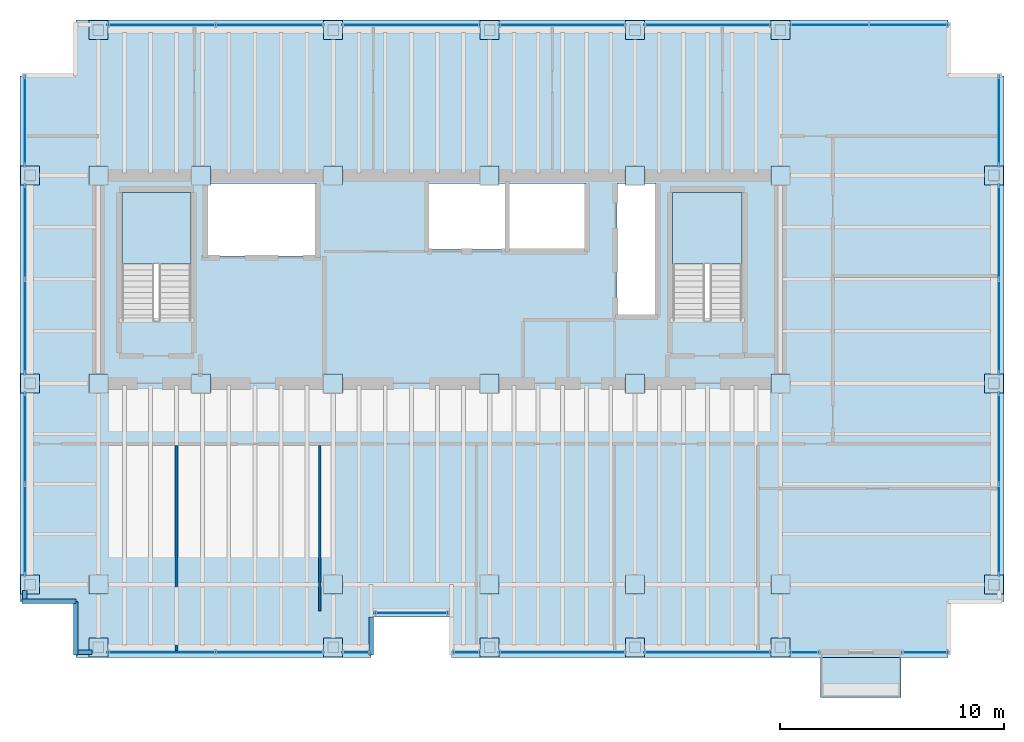
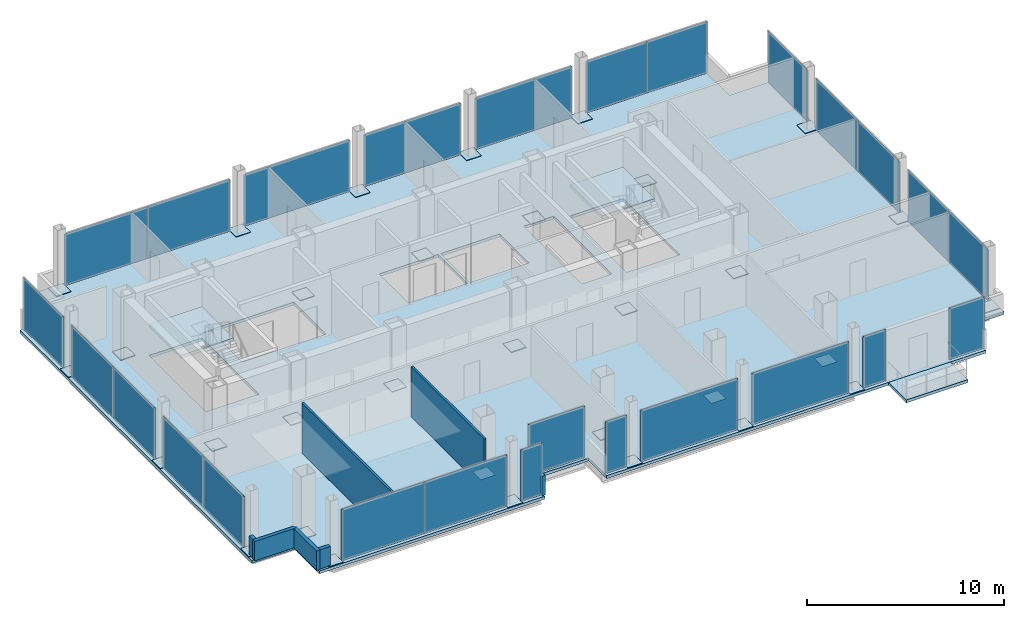
# One storey, part 12 of 16: 59 plates, 7 walls, 4 slabs, 6 openings, 21 elements without a shape of their own.
"""IFC4 building model written with IfcOpenShell, lengths in metres."""

from ifc_helpers import new_model, si_unit, direction, frame, frame_2d, origin, origin_2d, place, context, subcontext, project, spatial, polyline, rectangle, outline, extrude, material, layer, layer_set, type_object, element, aggregate, save


model = new_model("IFC4")

# Units and contexts
model_context = context("Model", 3, precision=1e-05, world=origin(), true_north=direction((0.0, 1.0)))
body_context = subcontext(model_context, "Body", "Model", "MODEL_VIEW")
ifc_project = project(units=[si_unit("LENGTHUNIT", "METRE"), si_unit("AREAUNIT", "SQUARE_METRE"), si_unit("VOLUMEUNIT", "CUBIC_METRE"), si_unit("PLANEANGLEUNIT", "RADIAN"), si_unit("MASSUNIT", "GRAM", prefix="KILO")], contexts=[model_context])

# Site, building, storey
site_placement = place(None, origin())
site = spatial("IfcSite", under=ifc_project, at=site_placement, CompositionType="ELEMENT")
building_placement = place(site_placement, origin())
building = spatial("IfcBuilding", under=site, at=building_placement, Name="Noeulbin Bourse Tower", CompositionType="ELEMENT")
storey_placement = place(building_placement, frame((0.0, 0.0, 177.300048828125)))
storey = spatial("IfcBuildingStorey", under=building, at=storey_placement, Name="L44", CompositionType="ELEMENT", Elevation=177.300048828125)

# Curtain wall, plate
ifc_material_1 = material(Name="Dark Tinted Triple Glazing", Category="glass")
curtain_wall_type = type_object("IfcCurtainWallType", Name="CW-SYS-3", PredefinedType="NOTDEFINED", material=ifc_material_1)
curtain_wall_1_placement = place(storey_placement, origin())
curtain_wall_1 = element("IfcCurtainWall", 1, at=curtain_wall_1_placement, inside=storey, type_object=curtain_wall_type, Name="Unitised Curtain Wall CW-L44-SREC", PredefinedType="NOTDEFINED")
ifc_layer_1 = layer(ifc_material_1, 0.035888671875)
ifc_layer_set_1 = layer_set([ifc_layer_1], Name="Dark Tinted Triple Glazing")
plate_type_1 = type_object("IfcPlateType", Name="CW-SYS-3-PNL", PredefinedType="CURTAIN_PANEL", material=ifc_layer_set_1)
plate_1_placement = place(storey_placement, frame((27.5, 18.72998046875, 0.0), z_axis=(0.0, 0.0, 1.0), x_axis=(1.0, 0.0, 0.0)))
plate_1 = element("IfcPlate", 2, at=plate_1_placement, type_object=plate_type_1, Name="Glazed Curtain Panel CW-L44-SREC-P00", PredefinedType="CURTAIN_PANEL", context=body_context, shape_type="SweptSolid", body=[
    extrude(rectangle(XDim=3.300048828125, YDim=0.035888671875, at=origin_2d()), origin(), (0.0, 0.0, 1.0), 3.179931640625),
])
aggregate(curtain_wall_1, [plate_1])

# Curtain wall, plates
curtain_wall_2_placement = place(storey_placement, origin())
curtain_wall_2 = element("IfcCurtainWall", 3, at=curtain_wall_2_placement, inside=storey, type_object=curtain_wall_type, Name="Unitised Curtain Wall CW-L44-S1-S1", PredefinedType="NOTDEFINED")
plate_2_placement = place(storey_placement, frame((16.330078125, 16.969970703125, 0.0), z_axis=(0.0, 0.0, 1.0), x_axis=(1.0, 0.0, 0.0)))
plate_2 = element("IfcPlate", 4, at=plate_2_placement, type_object=plate_type_1, Name="Glazed Curtain Panel CW-L44-S1-S1-P00", PredefinedType="CURTAIN_PANEL", context=body_context, shape_type="SweptSolid", body=[
    extrude(rectangle(XDim=4.840087890625, YDim=0.035888671875, at=origin_2d()), origin(), (0.0, 0.0, 1.0), 3.179931640625),
])
plate_3_placement = place(storey_placement, frame((21.169921875, 16.969970703125, 0.0), z_axis=(0.0, 0.0, 1.0), x_axis=(1.0, 0.0, 0.0)))
plate_3 = element("IfcPlate", 5, at=plate_3_placement, type_object=plate_type_1, Name="Glazed Curtain Panel CW-L44-S1-S1-P01", PredefinedType="CURTAIN_PANEL", context=body_context, shape_type="SweptSolid", body=[
    extrude(rectangle(XDim=4.840087890625, YDim=0.035888671875, at=origin_2d()), origin(), (0.0, 0.0, 1.0), 3.179931640625),
])
aggregate(curtain_wall_2, [plate_2, plate_3])

# Curtain wall, plate
curtain_wall_3_placement = place(storey_placement, origin())
curtain_wall_3 = element("IfcCurtainWall", 6, at=curtain_wall_3_placement, inside=storey, type_object=curtain_wall_type, Name="Unitised Curtain Wall CW-L44-S1-S2", PredefinedType="NOTDEFINED")
plate_4_placement = place(storey_placement, frame((25.030029296875, 16.969970703125, 0.0), z_axis=(0.0, 0.0, 1.0), x_axis=(1.0, 0.0, 0.0)))
plate_4 = element("IfcPlate", 7, at=plate_4_placement, type_object=plate_type_1, Name="Glazed Curtain Panel CW-L44-S1-S2-P00", PredefinedType="CURTAIN_PANEL", context=body_context, shape_type="SweptSolid", body=[
    extrude(rectangle(XDim=1.239990234375, YDim=0.035888671875, at=origin_2d()), origin(), (0.0, 0.0, 1.0), 3.179931640625),
])
aggregate(curtain_wall_3, [plate_4])

curtain_wall_4_placement = place(storey_placement, origin())
curtain_wall_4 = element("IfcCurtainWall", 8, at=curtain_wall_4_placement, inside=storey, type_object=curtain_wall_type, Name="Unitised Curtain Wall CW-L44-S2-S1", PredefinedType="NOTDEFINED")
plate_5_placement = place(storey_placement, frame((29.969970703125, 16.969970703125, 0.0), z_axis=(0.0, 0.0, 1.0), x_axis=(1.0, 0.0, 0.0)))
plate_5 = element("IfcPlate", 9, at=plate_5_placement, type_object=plate_type_1, Name="Glazed Curtain Panel CW-L44-S2-S1-P00", PredefinedType="CURTAIN_PANEL", context=body_context, shape_type="SweptSolid", body=[
    extrude(rectangle(XDim=1.239990234375, YDim=0.035888671875, at=origin_2d()), origin(), (0.0, 0.0, 1.0), 3.179931640625),
])
aggregate(curtain_wall_4, [plate_5])

curtain_wall_5_placement = place(storey_placement, origin())
curtain_wall_5 = element("IfcCurtainWall", 10, at=curtain_wall_5_placement, inside=storey, type_object=curtain_wall_type, Name="Unitised Curtain Wall CW-L44-S2-S2", PredefinedType="NOTDEFINED")
plate_6_placement = place(storey_placement, frame((34.25, 16.969970703125, 0.0), z_axis=(0.0, 0.0, 1.0), x_axis=(1.0, 0.0, 0.0)))
plate_6 = element("IfcPlate", 11, at=plate_6_placement, type_object=plate_type_1, Name="Glazed Curtain Panel CW-L44-S2-S2-P00", PredefinedType="CURTAIN_PANEL", context=body_context, shape_type="SweptSolid", body=[
    extrude(rectangle(XDim=5.679931640625, YDim=0.035888671875, at=origin_2d()), origin(), (0.0, 0.0, 1.0), 3.179931640625),
])
aggregate(curtain_wall_5, [plate_6])

curtain_wall_6_placement = place(storey_placement, origin())
curtain_wall_6 = element("IfcCurtainWall", 12, at=curtain_wall_6_placement, inside=storey, type_object=curtain_wall_type, Name="Unitised Curtain Wall CW-L44-S2-S3", PredefinedType="NOTDEFINED")
plate_7_placement = place(storey_placement, frame((40.75, 16.969970703125, 0.0), z_axis=(0.0, 0.0, 1.0), x_axis=(1.0, 0.0, 0.0)))
plate_7 = element("IfcPlate", 13, at=plate_7_placement, type_object=plate_type_1, Name="Glazed Curtain Panel CW-L44-S2-S3-P00", PredefinedType="CURTAIN_PANEL", context=body_context, shape_type="SweptSolid", body=[
    extrude(rectangle(XDim=5.679931640625, YDim=0.035888671875, at=origin_2d()), origin(), (0.0, 0.0, 1.0), 3.179931640625),
])
aggregate(curtain_wall_6, [plate_7])

curtain_wall_7_placement = place(storey_placement, origin())
curtain_wall_7 = element("IfcCurtainWall", 14, at=curtain_wall_7_placement, inside=storey, type_object=curtain_wall_type, Name="Unitised Curtain Wall CW-L44-S2-S4", PredefinedType="NOTDEFINED")
plate_8_placement = place(storey_placement, frame((45.080078125, 16.969970703125, 0.0), z_axis=(0.0, 0.0, 1.0), x_axis=(1.0, 0.0, 0.0)))
plate_8 = element("IfcPlate", 15, at=plate_8_placement, type_object=plate_type_1, Name="Glazed Curtain Panel CW-L44-S2-S4-P00", PredefinedType="CURTAIN_PANEL", context=body_context, shape_type="SweptSolid", body=[
    extrude(rectangle(XDim=1.340087890625, YDim=0.035888671875, at=origin_2d()), origin(), (0.0, 0.0, 1.0), 3.179931640625),
])
aggregate(curtain_wall_7, [plate_8])

curtain_wall_8_placement = place(storey_placement, origin())
curtain_wall_8 = element("IfcCurtainWall", 16, at=curtain_wall_8_placement, inside=storey, type_object=curtain_wall_type, Name="Unitised Curtain Wall CW-L44-S3", PredefinedType="NOTDEFINED")
plate_9_placement = place(storey_placement, frame((50.485107421875, 16.969970703125, 0.0), z_axis=(0.0, 0.0, 1.0), x_axis=(1.0, 0.0, 0.0)))
plate_9 = element("IfcPlate", 17, at=plate_9_placement, type_object=plate_type_1, Name="Glazed Curtain Panel CW-L44-S3-P00", PredefinedType="CURTAIN_PANEL", context=body_context, shape_type="SweptSolid", body=[
    extrude(rectangle(XDim=2.070068359375, YDim=0.035888671875, at=origin_2d()), origin(), (0.0, 0.0, 1.0), 3.179931640625),
])
aggregate(curtain_wall_8, [plate_9])

# Curtain wall, plates
curtain_wall_9_placement = place(storey_placement, origin())
curtain_wall_9 = element("IfcCurtainWall", 18, at=curtain_wall_9_placement, inside=storey, type_object=curtain_wall_type, Name="Unitised Curtain Wall CW-L44-N-S1", PredefinedType="NOTDEFINED")
plate_10_placement = place(storey_placement, frame((16.330078125, 45.030029296875, 0.0), z_axis=(0.0, 0.0, 1.0), x_axis=(1.0, 0.0, 0.0)))
plate_10 = element("IfcPlate", 19, at=plate_10_placement, type_object=plate_type_1, Name="Glazed Curtain Panel CW-L44-N-S1-P00", PredefinedType="CURTAIN_PANEL", context=body_context, shape_type="SweptSolid", body=[
    extrude(rectangle(XDim=4.840087890625, YDim=0.035888671875, at=origin_2d()), origin(), (0.0, 0.0, 1.0), 3.179931640625),
])
plate_11_placement = place(storey_placement, frame((21.169921875, 45.030029296875, 0.0), z_axis=(0.0, 0.0, 1.0), x_axis=(1.0, 0.0, 0.0)))
plate_11 = element("IfcPlate", 20, at=plate_11_placement, type_object=plate_type_1, Name="Glazed Curtain Panel CW-L44-N-S1-P01", PredefinedType="CURTAIN_PANEL", context=body_context, shape_type="SweptSolid", body=[
    extrude(rectangle(XDim=4.840087890625, YDim=0.035888671875, at=origin_2d()), origin(), (0.0, 0.0, 1.0), 3.179931640625),
])
aggregate(curtain_wall_9, [plate_10, plate_11])

# Curtain wall, plate
curtain_wall_10_placement = place(storey_placement, origin())
curtain_wall_10 = element("IfcCurtainWall", 21, at=curtain_wall_10_placement, inside=storey, type_object=curtain_wall_type, Name="Unitised Curtain Wall CW-L44-N-S2", PredefinedType="NOTDEFINED")
plate_12_placement = place(storey_placement, frame((27.5, 45.030029296875, 0.0), z_axis=(0.0, 0.0, 1.0), x_axis=(1.0, 0.0, 0.0)))
plate_12 = element("IfcPlate", 22, at=plate_12_placement, type_object=plate_type_1, Name="Glazed Curtain Panel CW-L44-N-S2-P00", PredefinedType="CURTAIN_PANEL", context=body_context, shape_type="SweptSolid", body=[
    extrude(rectangle(XDim=6.179931640625, YDim=0.035888671875, at=origin_2d()), origin(), (0.0, 0.0, 1.0), 3.179931640625),
])
aggregate(curtain_wall_10, [plate_12])

curtain_wall_11_placement = place(storey_placement, origin())
curtain_wall_11 = element("IfcCurtainWall", 23, at=curtain_wall_11_placement, inside=storey, type_object=curtain_wall_type, Name="Unitised Curtain Wall CW-L44-N-S3", PredefinedType="NOTDEFINED")
plate_13_placement = place(storey_placement, frame((34.25, 45.030029296875, 0.0), z_axis=(0.0, 0.0, 1.0), x_axis=(1.0, 0.0, 0.0)))
plate_13 = element("IfcPlate", 24, at=plate_13_placement, type_object=plate_type_1, Name="Glazed Curtain Panel CW-L44-N-S3-P00", PredefinedType="CURTAIN_PANEL", context=body_context, shape_type="SweptSolid", body=[
    extrude(rectangle(XDim=5.679931640625, YDim=0.035888671875, at=origin_2d()), origin(), (0.0, 0.0, 1.0), 3.179931640625),
])
aggregate(curtain_wall_11, [plate_13])

curtain_wall_12_placement = place(storey_placement, origin())
curtain_wall_12 = element("IfcCurtainWall", 25, at=curtain_wall_12_placement, inside=storey, type_object=curtain_wall_type, Name="Unitised Curtain Wall CW-L44-N-S4", PredefinedType="NOTDEFINED")
plate_14_placement = place(storey_placement, frame((40.75, 45.030029296875, 0.0), z_axis=(0.0, 0.0, 1.0), x_axis=(1.0, 0.0, 0.0)))
plate_14 = element("IfcPlate", 26, at=plate_14_placement, type_object=plate_type_1, Name="Glazed Curtain Panel CW-L44-N-S4-P00", PredefinedType="CURTAIN_PANEL", context=body_context, shape_type="SweptSolid", body=[
    extrude(rectangle(XDim=5.679931640625, YDim=0.035888671875, at=origin_2d()), origin(), (0.0, 0.0, 1.0), 3.179931640625),
])
aggregate(curtain_wall_12, [plate_14])

# Curtain wall, plates
curtain_wall_13_placement = place(storey_placement, origin())
curtain_wall_13 = element("IfcCurtainWall", 27, at=curtain_wall_13_placement, inside=storey, type_object=curtain_wall_type, Name="Unitised Curtain Wall CW-L44-N-S5", PredefinedType="NOTDEFINED")
plate_15_placement = place(storey_placement, frame((46.1875, 45.030029296875, 0.0), z_axis=(0.0, 0.0, 1.0), x_axis=(1.0, 0.0, 0.0)))
plate_15 = element("IfcPlate", 28, at=plate_15_placement, type_object=plate_type_1, Name="Glazed Curtain Panel CW-L44-N-S5-P00", PredefinedType="CURTAIN_PANEL", context=body_context, shape_type="SweptSolid", body=[
    extrude(rectangle(XDim=3.554931640625, YDim=0.035888671875, at=origin_2d()), origin(), (0.0, 0.0, 1.0), 3.179931640625),
])
plate_16_placement = place(storey_placement, frame((49.742431640625, 45.030029296875, 0.0), z_axis=(0.0, 0.0, 1.0), x_axis=(1.0, 0.0, 0.0)))
plate_16 = element("IfcPlate", 29, at=plate_16_placement, type_object=plate_type_1, Name="Glazed Curtain Panel CW-L44-N-S5-P01", PredefinedType="CURTAIN_PANEL", context=body_context, shape_type="SweptSolid", body=[
    extrude(rectangle(XDim=3.554931640625, YDim=0.035888671875, at=origin_2d()), origin(), (0.0, 0.0, 1.0), 3.179931640625),
])
aggregate(curtain_wall_13, [plate_15, plate_16])

curtain_wall_14_placement = place(storey_placement, origin())
curtain_wall_14 = element("IfcCurtainWall", 30, at=curtain_wall_14_placement, inside=storey, type_object=curtain_wall_type, Name="Unitised Curtain Wall CW-L44-W-S1", PredefinedType="NOTDEFINED")
plate_17_placement = place(storey_placement, frame((10.219970703125, 22.455078125, 0.0), z_axis=(0.0, 0.0, 1.0), x_axis=(0.0, 1.0, 0.0)))
plate_17 = element("IfcPlate", 31, at=plate_17_placement, type_object=plate_type_1, Name="Glazed Curtain Panel CW-L44-W-S1-P00", PredefinedType="CURTAIN_PANEL", context=body_context, shape_type="SweptSolid", body=[
    extrude(rectangle(XDim=4.090087890625, YDim=0.035888671875, at=origin_2d()), origin(), (0.0, 0.0, 1.0), 3.179931640625),
])
plate_18_placement = place(storey_placement, frame((10.219970703125, 26.544921875, 0.0), z_axis=(0.0, 0.0, 1.0), x_axis=(0.0, 1.0, 0.0)))
plate_18 = element("IfcPlate", 32, at=plate_18_placement, type_object=plate_type_1, Name="Glazed Curtain Panel CW-L44-W-S1-P01", PredefinedType="CURTAIN_PANEL", context=body_context, shape_type="SweptSolid", body=[
    extrude(rectangle(XDim=4.090087890625, YDim=0.035888671875, at=origin_2d()), origin(), (0.0, 0.0, 1.0), 3.179931640625),
])
aggregate(curtain_wall_14, [plate_17, plate_18])

curtain_wall_15_placement = place(storey_placement, origin())
curtain_wall_15 = element("IfcCurtainWall", 33, at=curtain_wall_15_placement, inside=storey, type_object=curtain_wall_type, Name="Unitised Curtain Wall CW-L44-W-S2", PredefinedType="NOTDEFINED")
plate_19_placement = place(storey_placement, frame((10.219970703125, 31.530029296875, 0.0), z_axis=(0.0, 0.0, 1.0), x_axis=(0.0, 1.0, 0.0)))
plate_19 = element("IfcPlate", 34, at=plate_19_placement, type_object=plate_type_1, Name="Glazed Curtain Panel CW-L44-W-S2-P00", PredefinedType="CURTAIN_PANEL", context=body_context, shape_type="SweptSolid", body=[
    extrude(rectangle(XDim=4.239990234375, YDim=0.035888671875, at=origin_2d()), origin(), (0.0, 0.0, 1.0), 3.179931640625),
])
plate_20_placement = place(storey_placement, frame((10.219970703125, 35.77001953125, 0.0), z_axis=(0.0, 0.0, 1.0), x_axis=(0.0, 1.0, 0.0)))
plate_20 = element("IfcPlate", 35, at=plate_20_placement, type_object=plate_type_1, Name="Glazed Curtain Panel CW-L44-W-S2-P01", PredefinedType="CURTAIN_PANEL", context=body_context, shape_type="SweptSolid", body=[
    extrude(rectangle(XDim=4.239990234375, YDim=0.035888671875, at=origin_2d()), origin(), (0.0, 0.0, 1.0), 3.179931640625),
])
aggregate(curtain_wall_15, [plate_19, plate_20])

# Curtain wall, plate
curtain_wall_16_placement = place(storey_placement, origin())
curtain_wall_16 = element("IfcCurtainWall", 36, at=curtain_wall_16_placement, inside=storey, type_object=curtain_wall_type, Name="Unitised Curtain Wall CW-L44-W-S3", PredefinedType="NOTDEFINED")
plate_21_placement = place(storey_placement, frame((10.219970703125, 40.739990234375, 0.0), z_axis=(0.0, 0.0, 1.0), x_axis=(0.0, 1.0, 0.0)))
plate_21 = element("IfcPlate", 37, at=plate_21_placement, type_object=plate_type_1, Name="Glazed Curtain Panel CW-L44-W-S3-P00", PredefinedType="CURTAIN_PANEL", context=body_context, shape_type="SweptSolid", body=[
    extrude(rectangle(XDim=4.06005859375, YDim=0.035888671875, at=origin_2d()), origin(), (0.0, 0.0, 1.0), 3.179931640625),
])
aggregate(curtain_wall_16, [plate_21])

# Curtain wall, plates
curtain_wall_17_placement = place(storey_placement, origin())
curtain_wall_17 = element("IfcCurtainWall", 38, at=curtain_wall_17_placement, inside=storey, type_object=curtain_wall_type, Name="Unitised Curtain Wall CW-L44-E-S1", PredefinedType="NOTDEFINED")
plate_22_placement = place(storey_placement, frame((53.780029296875, 22.455078125, 0.0), z_axis=(0.0, 0.0, 1.0), x_axis=(0.0, 1.0, 0.0)))
plate_22 = element("IfcPlate", 39, at=plate_22_placement, type_object=plate_type_1, Name="Glazed Curtain Panel CW-L44-E-S1-P00", PredefinedType="CURTAIN_PANEL", context=body_context, shape_type="SweptSolid", body=[
    extrude(rectangle(XDim=4.090087890625, YDim=0.035888671875, at=origin_2d()), origin(), (0.0, 0.0, 1.0), 3.179931640625),
])
plate_23_placement = place(storey_placement, frame((53.780029296875, 26.544921875, 0.0), z_axis=(0.0, 0.0, 1.0), x_axis=(0.0, 1.0, 0.0)))
plate_23 = element("IfcPlate", 40, at=plate_23_placement, type_object=plate_type_1, Name="Glazed Curtain Panel CW-L44-E-S1-P01", PredefinedType="CURTAIN_PANEL", context=body_context, shape_type="SweptSolid", body=[
    extrude(rectangle(XDim=4.090087890625, YDim=0.035888671875, at=origin_2d()), origin(), (0.0, 0.0, 1.0), 3.179931640625),
])
aggregate(curtain_wall_17, [plate_22, plate_23])

curtain_wall_18_placement = place(storey_placement, origin())
curtain_wall_18 = element("IfcCurtainWall", 41, at=curtain_wall_18_placement, inside=storey, type_object=curtain_wall_type, Name="Unitised Curtain Wall CW-L44-E-S2", PredefinedType="NOTDEFINED")
plate_24_placement = place(storey_placement, frame((53.780029296875, 31.530029296875, 0.0), z_axis=(0.0, 0.0, 1.0), x_axis=(0.0, 1.0, 0.0)))
plate_24 = element("IfcPlate", 42, at=plate_24_placement, type_object=plate_type_1, Name="Glazed Curtain Panel CW-L44-E-S2-P00", PredefinedType="CURTAIN_PANEL", context=body_context, shape_type="SweptSolid", body=[
    extrude(rectangle(XDim=4.239990234375, YDim=0.035888671875, at=origin_2d()), origin(), (0.0, 0.0, 1.0), 3.179931640625),
])
plate_25_placement = place(storey_placement, frame((53.780029296875, 35.77001953125, 0.0), z_axis=(0.0, 0.0, 1.0), x_axis=(0.0, 1.0, 0.0)))
plate_25 = element("IfcPlate", 43, at=plate_25_placement, type_object=plate_type_1, Name="Glazed Curtain Panel CW-L44-E-S2-P01", PredefinedType="CURTAIN_PANEL", context=body_context, shape_type="SweptSolid", body=[
    extrude(rectangle(XDim=4.239990234375, YDim=0.035888671875, at=origin_2d()), origin(), (0.0, 0.0, 1.0), 3.179931640625),
])
aggregate(curtain_wall_18, [plate_24, plate_25])

# Curtain wall, plate
curtain_wall_19_placement = place(storey_placement, origin())
curtain_wall_19 = element("IfcCurtainWall", 44, at=curtain_wall_19_placement, inside=storey, type_object=curtain_wall_type, Name="Unitised Curtain Wall CW-L44-E-S3", PredefinedType="NOTDEFINED")
plate_26_placement = place(storey_placement, frame((53.780029296875, 40.739990234375, 0.0), z_axis=(0.0, 0.0, 1.0), x_axis=(0.0, 1.0, 0.0)))
plate_26 = element("IfcPlate", 45, at=plate_26_placement, type_object=plate_type_1, Name="Glazed Curtain Panel CW-L44-E-S3-P00", PredefinedType="CURTAIN_PANEL", context=body_context, shape_type="SweptSolid", body=[
    extrude(rectangle(XDim=4.06005859375, YDim=0.035888671875, at=origin_2d()), origin(), (0.0, 0.0, 1.0), 3.179931640625),
])
aggregate(curtain_wall_19, [plate_26])

# Plates
ifc_material_2 = material(Name="Steel S355", Category="steel")
ifc_layer_2 = layer(ifc_material_2, 0.030029296875)
ifc_layer_set_2 = layer_set([ifc_layer_2], Name="Steel S355")
plate_type_2 = type_object("IfcPlateType", Name="PLT-BN1", PredefinedType="USERDEFINED", material=ifc_layer_set_2)
for number, where, z_axis, x_axis, name in (
    (46, (13.5, 29.0, 0.0048828125), (0.0, 0.0, 1.0), (1.0, 0.0, 0.0), "Mega-Column Splice Plate BN1-L44-01"),
    (47, (13.5, 38.300048828125, 0.0048828125), (0.0, 0.0, 1.0), (1.0, 0.0, 0.0), "Mega-Column Splice Plate BN1-L44-02"),
    (48, (18.10009765625, 29.0, 0.0048828125), (0.0, 0.0, 1.0), (1.0, 0.0, 0.0), "Mega-Column Splice Plate BN1-L44-03"),
    (49, (18.10009765625, 38.300048828125, 0.0048828125), (0.0, 0.0, 1.0), (1.0, 0.0, 0.0), "Mega-Column Splice Plate BN1-L44-04"),
    (50, (24.0, 29.0, 0.0048828125), (0.0, 0.0, 1.0), (1.0, 0.0, 0.0), "Mega-Column Splice Plate BN1-L44-05"),
    (51, (24.0, 38.300048828125, 0.0048828125), (0.0, 0.0, 1.0), (1.0, 0.0, 0.0), "Mega-Column Splice Plate BN1-L44-06"),
    (52, (31.0, 29.0, 0.0048828125), (0.0, 0.0, 1.0), (1.0, 0.0, 0.0), "Mega-Column Splice Plate BN1-L44-07"),
    (53, (31.0, 38.300048828125, 0.0048828125), (0.0, 0.0, 1.0), (1.0, 0.0, 0.0), "Mega-Column Splice Plate BN1-L44-08"),
    (54, (37.5, 29.0, 0.0048828125), (0.0, 0.0, 1.0), (1.0, 0.0, 0.0), "Mega-Column Splice Plate BN1-L44-09"),
    (55, (37.5, 38.300048828125, 0.0048828125), (0.0, 0.0, 1.0), (1.0, 0.0, 0.0), "Mega-Column Splice Plate BN1-L44-10"),
    (56, (44.0, 29.0, 0.0048828125), (0.0, 0.0, 1.0), (1.0, 0.0, 0.0), "Mega-Column Splice Plate BN1-L44-11"),
    (57, (44.0, 38.300048828125, 0.0048828125), (0.0, 0.0, 1.0), (1.0, 0.0, 0.0), "Mega-Column Splice Plate BN1-L44-12"),
    (58, (13.5, 20.0, 0.0048828125), (0.0, 0.0, 1.0), (1.0, 0.0, 0.0), "Mega-Column Splice Plate BN1-L44-13"),
    (59, (24.0, 20.0, 0.0048828125), (0.0, 0.0, 1.0), (1.0, 0.0, 0.0), "Mega-Column Splice Plate BN1-L44-14"),
    (60, (31.0, 20.0, 0.0048828125), (0.0, 0.0, 1.0), (1.0, 0.0, 0.0), "Mega-Column Splice Plate BN1-L44-15"),
    (61, (37.5, 20.0, 0.0048828125), (0.0, 0.0, 1.0), (1.0, 0.0, 0.0), "Mega-Column Splice Plate BN1-L44-16"),
    (62, (44.0, 20.0, 0.0048828125), (0.0, 0.0, 1.0), (1.0, 0.0, 0.0), "Mega-Column Splice Plate BN1-L44-17"),
    (63, (10.449951171875, 20.0, 0.0048828125), (0.0, 0.0, 1.0), (1.0, 0.0, 0.0), "Perimeter Column Splice Plate BN1-L44-01"),
    (64, (10.449951171875, 29.0, 0.0048828125), (0.0, 0.0, 1.0), (1.0, 0.0, 0.0), "Perimeter Column Splice Plate BN1-L44-02"),
    (65, (10.449951171875, 38.300048828125, 0.0048828125), (0.0, 0.0, 1.0), (1.0, 0.0, 0.0), "Perimeter Column Splice Plate BN1-L44-03"),
    (66, (13.5, 17.199951171875, 0.0048828125), (0.0, 0.0, 1.0), (1.0, 0.0, 0.0), "Perimeter Column Splice Plate BN1-L44-04"),
    (67, (13.5, 44.800048828125, 0.0048828125), (0.0, 0.0, 1.0), (1.0, 0.0, 0.0), "Perimeter Column Splice Plate BN1-L44-05"),
    (68, (24.0, 17.199951171875, 0.0048828125), (0.0, 0.0, 1.0), (1.0, 0.0, 0.0), "Perimeter Column Splice Plate BN1-L44-06"),
    (69, (24.0, 44.800048828125, 0.0048828125), (0.0, 0.0, 1.0), (1.0, 0.0, 0.0), "Perimeter Column Splice Plate BN1-L44-07"),
    (70, (31.0, 17.199951171875, 0.0048828125), (0.0, 0.0, 1.0), (1.0, 0.0, 0.0), "Perimeter Column Splice Plate BN1-L44-08"),
    (71, (31.0, 44.800048828125, 0.0048828125), (0.0, 0.0, 1.0), (1.0, 0.0, 0.0), "Perimeter Column Splice Plate BN1-L44-09"),
    (72, (37.5, 17.199951171875, 0.0048828125), (0.0, 0.0, 1.0), (1.0, 0.0, 0.0), "Perimeter Column Splice Plate BN1-L44-10"),
    (73, (37.5, 44.800048828125, 0.0048828125), (0.0, 0.0, 1.0), (1.0, 0.0, 0.0), "Perimeter Column Splice Plate BN1-L44-11"),
    (74, (44.0, 17.199951171875, 0.0048828125), (0.0, 0.0, 1.0), (1.0, 0.0, 0.0), "Perimeter Column Splice Plate BN1-L44-12"),
    (75, (44.0, 44.800048828125, 0.0048828125), (0.0, 0.0, 1.0), (1.0, 0.0, 0.0), "Perimeter Column Splice Plate BN1-L44-13"),
    (76, (53.550048828125, 20.0, 0.0048828125), (0.0, 0.0, 1.0), (1.0, 0.0, 0.0), "Perimeter Column Splice Plate BN1-L44-14"),
    (77, (53.550048828125, 29.0, 0.0048828125), (0.0, 0.0, 1.0), (1.0, 0.0, 0.0), "Perimeter Column Splice Plate BN1-L44-15"),
    (78, (53.550048828125, 38.300048828125, 0.0048828125), (0.0, 0.0, 1.0), (1.0, 0.0, 0.0), "Perimeter Column Splice Plate BN1-L44-16"),
):
    element("IfcPlate", number, at=place(storey_placement, frame(where, z_axis=z_axis, x_axis=x_axis)), inside=storey, type_object=plate_type_2, Name=name, ObjectType="SPLICE PLATE", PredefinedType="USERDEFINED", context=body_context, shape_type="SweptSolid", body=[
        extrude(rectangle(XDim=0.85009765625, YDim=0.85009765625, at=origin_2d()), origin(), (0.0, 0.0, 1.0), 0.030029296875),
    ])

# Stair, slab
ifc_material_3 = material(Name="Concrete C40/50", Category="concrete")
stair_type = type_object("IfcStairType", Name="STR-CORE-1560", PredefinedType="HALF_TURN_STAIR", material=ifc_material_3)
stair_1_placement = place(storey_placement, origin())
stair_1 = element("IfcStair", 79, at=stair_1_placement, inside=storey, type_object=stair_type, Name="L44 ST-1", PredefinedType="HALF_TURN_STAIR")
ifc_layer_3 = layer(ifc_material_3, 0.199951171875)
ifc_layer_set_3 = layer_set([ifc_layer_3], Name="Concrete C40/50")
slab_type_1 = type_object("IfcSlabType", Name="SLB-LND-200", PredefinedType="LANDING", material=ifc_layer_set_3)
slab_1_placement = place(storey_placement, frame((0.0, 0.0, 1.75)))
slab_1 = element("IfcSlab", 80, at=slab_1_placement, type_object=slab_type_1, Name="ST-1 landing 1", PredefinedType="LANDING", context=body_context, shape_type="SweptSolid", body=[
    extrude(outline(polyline([(17.64990234375, 34.330078125), (17.64990234375, 37.5439453125), (14.550048828125, 37.5439453125), (14.550048828125, 34.330078125), (17.64990234375, 34.330078125)])), origin(), (0.0, 0.0, 1.0), 0.199951171875),
])
aggregate(stair_1, [slab_1])

stair_2_placement = place(storey_placement, origin())
stair_2 = element("IfcStair", 81, at=stair_2_placement, inside=storey, type_object=stair_type, Name="L44 ST-2", PredefinedType="HALF_TURN_STAIR")
slab_2_placement = place(storey_placement, frame((0.0, 0.0, 1.75)))
slab_2 = element("IfcSlab", 82, at=slab_2_placement, type_object=slab_type_1, Name="ST-2 landing 1", PredefinedType="LANDING", context=body_context, shape_type="SweptSolid", body=[
    extrude(outline(polyline([(42.280029296875, 34.330078125), (42.280029296875, 37.5439453125), (39.179931640625, 37.5439453125), (39.179931640625, 34.330078125), (42.280029296875, 34.330078125)])), origin(), (0.0, 0.0, 1.0), 0.199951171875),
])
aggregate(stair_2, [slab_2])

# Slab, openings
ifc_layer_4 = layer(ifc_material_3, 0.179931640625)
ifc_layer_set_4 = layer_set([ifc_layer_4], Name="Concrete C40/50")
slab_type_2 = type_object("IfcSlabType", Name="SLB-TYP-180", PredefinedType="FLOOR", material=ifc_layer_set_4)
slab_3_placement = place(storey_placement, frame((0.0, 0.0, -0.179931640625)))
slab_3 = element("IfcSlab", 83, at=slab_3_placement, inside=storey, type_object=slab_type_2, Name="Tower Structural Floor Slab L44", PredefinedType="FLOOR", context=body_context, shape_type="SweptSolid", body=[
    extrude(outline(polyline([(12.5, 16.75), (25.699951171875, 16.75), (25.699951171875, 18.550048828125), (29.300048828125, 18.550048828125), (29.300048828125, 16.75), (51.5, 16.75), (51.5, 19.25), (54.0, 19.25), (54.0, 42.75), (51.5, 42.75), (51.5, 45.25), (12.5, 45.25), (12.5, 42.75), (10.0, 42.75), (10.0, 19.25), (12.5, 19.25), (12.5, 16.75)]), holes=[polyline([(17.64990234375, 31.81005859375), (17.64990234375, 37.5439453125), (14.550048828125, 37.5439453125), (14.550048828125, 31.81005859375), (17.64990234375, 31.81005859375)]), polyline([(42.280029296875, 31.81005859375), (42.280029296875, 37.5439453125), (39.179931640625, 37.5439453125), (39.179931640625, 31.81005859375), (42.280029296875, 31.81005859375)]), polyline([(18.35009765625, 34.699951171875), (23.25, 34.699951171875), (23.25, 37.949951171875), (18.35009765625, 37.949951171875), (18.35009765625, 34.699951171875)]), polyline([(36.699951171875, 32.050048828125), (38.449951171875, 32.050048828125), (38.449951171875, 37.949951171875), (36.699951171875, 37.949951171875), (36.699951171875, 32.050048828125)]), polyline([(28.25, 35.0), (31.699951171875, 35.0), (31.699951171875, 37.949951171875), (28.25, 37.949951171875), (28.25, 35.0)]), polyline([(31.85009765625, 35.0), (35.300048828125, 35.0), (35.300048828125, 37.949951171875), (31.85009765625, 37.949951171875), (31.85009765625, 35.0)])]), origin(), (0.0, 0.0, 1.0), 0.179931640625),
])
opening_1_placement = place(slab_3_placement, frame((0.0, 0.0, -0.010009765625)))
element("IfcOpeningElement", 84, at=opening_1_placement, cuts=slab_3, Name="Slab Shaft Opening SLB-L44-TWR-1", PredefinedType="OPENING", context=body_context, shape_type="SweptSolid", body=[
    extrude(outline(polyline([(17.64990234375, 31.81005859375), (17.64990234375, 37.5439453125), (14.550048828125, 37.5439453125), (14.550048828125, 31.81005859375), (17.64990234375, 31.81005859375)])), origin(), (0.0, 0.0, 1.0), 0.199951171875),
])
opening_2_placement = place(slab_3_placement, frame((0.0, 0.0, -0.010009765625)))
element("IfcOpeningElement", 85, at=opening_2_placement, cuts=slab_3, Name="Slab Shaft Opening SLB-L44-TWR-2", PredefinedType="OPENING", context=body_context, shape_type="SweptSolid", body=[
    extrude(outline(polyline([(42.280029296875, 31.81005859375), (42.280029296875, 37.5439453125), (39.179931640625, 37.5439453125), (39.179931640625, 31.81005859375), (42.280029296875, 31.81005859375)])), origin(), (0.0, 0.0, 1.0), 0.199951171875),
])
opening_3_placement = place(slab_3_placement, frame((0.0, 0.0, -0.010009765625)))
element("IfcOpeningElement", 86, at=opening_3_placement, cuts=slab_3, Name="Slab Shaft Opening SLB-L44-TWR-3", PredefinedType="OPENING", context=body_context, shape_type="SweptSolid", body=[
    extrude(outline(polyline([(18.35009765625, 34.699951171875), (23.25, 34.699951171875), (23.25, 37.949951171875), (18.35009765625, 37.949951171875), (18.35009765625, 34.699951171875)])), origin(), (0.0, 0.0, 1.0), 0.199951171875),
])
opening_4_placement = place(slab_3_placement, frame((0.0, 0.0, -0.010009765625)))
element("IfcOpeningElement", 87, at=opening_4_placement, cuts=slab_3, Name="Slab Shaft Opening SLB-L44-TWR-4", PredefinedType="OPENING", context=body_context, shape_type="SweptSolid", body=[
    extrude(outline(polyline([(36.699951171875, 32.050048828125), (38.449951171875, 32.050048828125), (38.449951171875, 37.949951171875), (36.699951171875, 37.949951171875), (36.699951171875, 32.050048828125)])), origin(), (0.0, 0.0, 1.0), 0.199951171875),
])
opening_5_placement = place(slab_3_placement, frame((0.0, 0.0, -0.010009765625)))
element("IfcOpeningElement", 88, at=opening_5_placement, cuts=slab_3, Name="Slab Shaft Opening SLB-L44-TWR-5", PredefinedType="OPENING", context=body_context, shape_type="SweptSolid", body=[
    extrude(outline(polyline([(28.25, 35.0), (31.699951171875, 35.0), (31.699951171875, 37.949951171875), (28.25, 37.949951171875), (28.25, 35.0)])), origin(), (0.0, 0.0, 1.0), 0.199951171875),
])
opening_6_placement = place(slab_3_placement, frame((0.0, 0.0, -0.010009765625)))
element("IfcOpeningElement", 89, at=opening_6_placement, cuts=slab_3, Name="Slab Shaft Opening SLB-L44-TWR-6", PredefinedType="OPENING", context=body_context, shape_type="SweptSolid", body=[
    extrude(outline(polyline([(31.85009765625, 35.0), (35.300048828125, 35.0), (35.300048828125, 37.949951171875), (31.85009765625, 37.949951171875), (31.85009765625, 35.0)])), origin(), (0.0, 0.0, 1.0), 0.199951171875),
])

# Slab
slab_4_placement = place(storey_placement, frame((0.0, 0.0, -0.179931640625)))
element("IfcSlab", 90, at=slab_4_placement, inside=storey, type_object=slab_type_2, Name="Cantilevered Tree-Balcony Slab L44", PredefinedType="FLOOR", context=body_context, shape_type="SweptSolid", body=[
    extrude(outline(polyline([(45.800048828125, 14.949951171875), (49.39990234375, 14.949951171875), (49.39990234375, 16.75), (45.800048828125, 16.75), (45.800048828125, 14.949951171875)])), origin(), (0.0, 0.0, 1.0), 0.179931640625),
])

# Walls
ifc_layer_5 = layer(ifc_material_3, 0.199951171875)
ifc_layer_set_5 = layer_set([ifc_layer_5], Name="Concrete C40/50")
wall_type_1 = type_object("IfcWallType", Name="WAL-PAR-200", PredefinedType="PARAPET", material=ifc_layer_set_5)
wall_1_placement = place(storey_placement, frame((10.219970703125, 19.35009765625, 0.0), z_axis=(0.0, 0.0, 1.0), x_axis=(0.0, 1.0, 0.0)))
element("IfcWall", 91, at=wall_1_placement, inside=storey, type_object=wall_type_1, Name="Perimeter Pier Spandrel Parapet L44-W2", PredefinedType="PARAPET", context=body_context, shape_type="SweptSolid", body=[
    extrude(rectangle(XDim=0.3798828125, YDim=0.199951171875, at=frame_2d((0.18994140625, 0.0))), origin(), (0.0, 0.0, 1.0), 1.199951171875),
])
wall_2_placement = place(storey_placement, frame((12.60009765625, 16.969970703125, 0.0), z_axis=(0.0, 0.0, 1.0), x_axis=(1.0, 0.0, 0.0)))
element("IfcWall", 92, at=wall_2_placement, inside=storey, type_object=wall_type_1, Name="Perimeter Pier Spandrel Parapet L44-S4", PredefinedType="PARAPET", context=body_context, shape_type="SweptSolid", body=[
    extrude(rectangle(XDim=0.6298828125, YDim=0.199951171875, at=frame_2d((0.31494140625, 0.0))), origin(), (0.0, 0.0, 1.0), 1.199951171875),
])
for number, where, z_axis, x_axis, name in (
    (93, (10.10009765625, 19.25, 0.0), (0.0, 0.0, 1.0), (1.0, 0.0, 0.0), "Corner Notch Parapet L44-SW1"),
    (94, (12.5, 19.25, 0.0), (0.0, 0.0, 1.0), (0.0, -1.0, 0.0), "Corner Notch Parapet L44-SW2"),
):
    element("IfcWall", number, at=place(storey_placement, frame(where, z_axis=z_axis, x_axis=x_axis)), inside=storey, type_object=wall_type_1, Name=name, PredefinedType="PARAPET", context=body_context, shape_type="SweptSolid", body=[
        extrude(rectangle(XDim=2.39990234375, YDim=0.199951171875, at=frame_2d((1.199951171875, 0.0))), origin(), (0.0, 0.0, 1.0), 1.199951171875),
    ])
wall_3_placement = place(storey_placement, frame((25.699951171875, 16.85009765625, 0.0), z_axis=(0.0, 0.0, 1.0), x_axis=(0.0, 1.0, 0.0)))
element("IfcWall", 95, at=wall_3_placement, inside=storey, type_object=wall_type_1, Name="Sky-Garden Recess Parapet L44-W", PredefinedType="PARAPET", context=body_context, shape_type="SweptSolid", body=[
    extrude(rectangle(XDim=1.699951171875, YDim=0.199951171875, at=frame_2d((0.85009765625, 0.0))), origin(), (0.0, 0.0, 1.0), 1.199951171875),
])
ifc_material_4 = material(Name="Steel Stud Gypsum Partition", Category="steel")
ifc_layer_6 = layer(ifc_material_4, 0.1201171875)
ifc_layer_set_6 = layer_set([ifc_layer_6], Name="Steel Stud Gypsum Partition")
wall_type_2 = type_object("IfcWallType", Name="WAL-PRT-120", PredefinedType="PARTITIONING", material=ifc_layer_set_6)
wall_4_placement = place(storey_placement, frame((17.0, 17.06005859375, 0.0), z_axis=(0.0, 0.0, 1.0), x_axis=(0.0, 1.0, 0.0)))
element("IfcWall", 96, at=wall_4_placement, inside=storey, type_object=wall_type_2, Name="Interior Partition Wall L44-16", PredefinedType="PARTITIONING", context=body_context, shape_type="SweptSolid", body=[
    extrude(rectangle(XDim=9.155029296875, YDim=0.1201171875, at=frame_2d((4.57763671875, 0.0))), origin(), (0.0, 0.0, 1.0), 3.099853515625),
])
wall_5_placement = place(storey_placement, frame((23.39990234375, 18.820068359375, 0.0), z_axis=(0.0, 0.0, 1.0), x_axis=(0.0, 1.0, 0.0)))
element("IfcWall", 97, at=wall_5_placement, inside=storey, type_object=wall_type_2, Name="Interior Partition Wall L44-17", PredefinedType="PARTITIONING", context=body_context, shape_type="SweptSolid", body=[
    extrude(rectangle(XDim=7.39501953125, YDim=0.1201171875, at=frame_2d((3.697509765625, 0.0))), origin(), (0.0, 0.0, 1.0), 3.099853515625),
])

save(model, "model.ifc")
